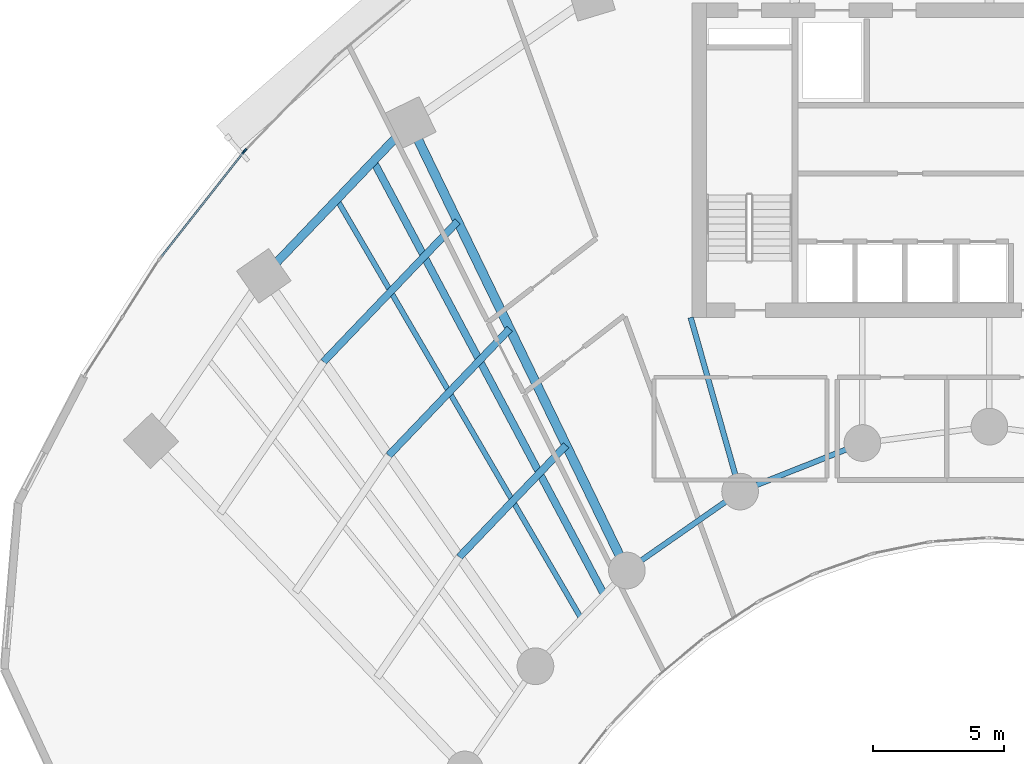
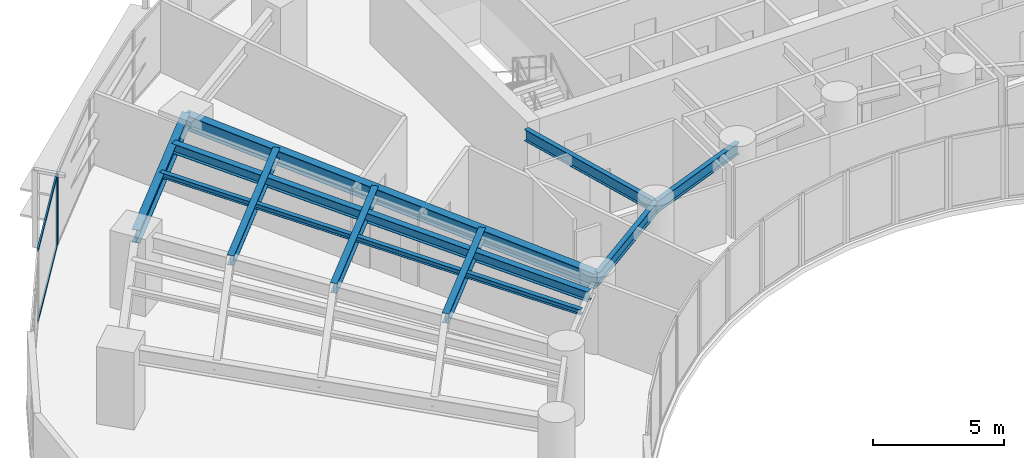
# One storey, part 3 of 17: 10 beams, 4 members, 2 elements without a shape of their own.
"""IFC4 building model written with IfcOpenShell, lengths in metres."""

from ifc_helpers import new_model, si_unit, direction, frame, origin, origin_2d, place, context, subcontext, project, spatial, rectangle, i_section, extrude, source, transform, mapped, material, layer, layer_set, material_profile, profile_set, type_object, type_shapes, element, aggregate, save


model = new_model("IFC4")

# Units and contexts
model_context = context("Model", 3, precision=1e-05, world=origin(), true_north=direction((0.0, 1.0)))
body_context = subcontext(model_context, "Body", "Model", "MODEL_VIEW")
ifc_project = project(units=[si_unit("LENGTHUNIT", "METRE"), si_unit("AREAUNIT", "SQUARE_METRE"), si_unit("VOLUMEUNIT", "CUBIC_METRE"), si_unit("PLANEANGLEUNIT", "RADIAN"), si_unit("MASSUNIT", "GRAM", prefix="KILO")], contexts=[model_context])

# Site, building, storey
site_placement = place(None, origin())
site = spatial("IfcSite", under=ifc_project, at=site_placement, CompositionType="ELEMENT")
building_placement = place(site_placement, origin())
building = spatial("IfcBuilding", under=site, at=building_placement, Name="Breltana Convention Tower", CompositionType="ELEMENT")
storey_placement = place(building_placement, frame((0.0, 0.0, 64.199951171875)))
storey = spatial("IfcBuildingStorey", under=building, at=storey_placement, Name="L14", CompositionType="ELEMENT", Elevation=64.199951171875)

# Beams
ifc_material_1 = material(Name="Steel ASTM A992 Grade 50", Category="steel")
ifc_material_profile_1 = material_profile(ifc_material_1, i_section(OverallWidth=0.323974609375, OverallDepth=0.611083984375, WebThickness=0.0126953125, FlangeThickness=0.01904296875, at=origin_2d()), Name="W24X104")
ifc_profile_set_1 = profile_set([ifc_material_profile_1], Name="Steel ASTM A992 Grade 50")
beam_type_1 = type_object("IfcBeamType", Name="BM-SP-W24X104", PredefinedType="SPANDREL", material=ifc_profile_set_1)
shared_shape_1 = source(origin(), body_context, "Body", "SweptSolid", [
    extrude(i_section(OverallWidth=0.323974609375, OverallDepth=0.611083984375, WebThickness=0.0126953125, FlangeThickness=0.01904296875, at=origin_2d()), origin(), (0.0, 0.0, 1.0), 8.073974609375),
])
beam_1_placement = place(storey_placement, frame((20.310791015625, 61.78857421875, 3.054443359375), z_axis=(0.69072885448, 0.723113856588, 0.0), x_axis=(-0.723113856588, 0.69072885448, 0.0)))
element("IfcBeam", 1, at=beam_1_placement, inside=storey, type_object=beam_type_1, Name="L14 Outer Spandrel Beam 02", PredefinedType="SPANDREL", context=body_context, shape_type="MappedRepresentation", body=[
    mapped(shared_shape_1, transform((0.0, 0.0, 0.0), scale=1.0)),
])
ifc_material_profile_2 = material_profile(ifc_material_1, i_section(OverallWidth=0.35498046875, OverallDepth=0.696044921875, WebThickness=0.015380859375, FlangeThickness=0.02490234375, at=origin_2d()), Name="W27X146")
ifc_profile_set_2 = profile_set([ifc_material_profile_2], Name="Steel ASTM A992 Grade 50")
beam_type_2 = type_object("IfcBeamType", Name="BM-RG-W27X146", PredefinedType="USERDEFINED", material=ifc_profile_set_2)
shared_shape_2 = source(origin(), body_context, "Body", "SweptSolid", [
    extrude(i_section(OverallWidth=0.35498046875, OverallDepth=0.696044921875, WebThickness=0.015380859375, FlangeThickness=0.02490234375, at=origin_2d()), origin(), (0.0, 0.0, 1.0), 18.982421875),
])
beam_2_placement = place(storey_placement, frame((34.166259765625, 50.544921875, 3.011962890625), z_axis=(-0.436118560343, 0.89988921614, 0.0), x_axis=(-0.89988921614, -0.436118560343, 0.0)))
element("IfcBeam", 2, at=beam_2_placement, inside=storey, type_object=beam_type_2, Name="L14 Radial Floor Girder R03", ObjectType="GIRDER", PredefinedType="USERDEFINED", context=body_context, shape_type="MappedRepresentation", body=[
    mapped(shared_shape_2, transform((0.0, 0.0, 0.0), scale=1.0)),
])
ifc_material_profile_3 = material_profile(ifc_material_1, i_section(OverallWidth=0.2099609375, OverallDepth=0.537109375, WebThickness=0.010986328125, FlangeThickness=0.017333984375, at=origin_2d()), Name="W21X68")
ifc_profile_set_3 = profile_set([ifc_material_profile_3], Name="Steel ASTM A992 Grade 50")
beam_type_3 = type_object("IfcBeamType", Name="BM-BM-W21X68", PredefinedType="BEAM", material=ifc_profile_set_3)
shared_shape_3 = source(origin(), body_context, "Body", "SweptSolid", [
    extrude(i_section(OverallWidth=0.2099609375, OverallDepth=0.537109375, WebThickness=0.010986328125, FlangeThickness=0.017333984375, at=origin_2d()), origin(), (0.0, 0.0, 1.0), 6.904541015625),
])
type_shapes(beam_type_3, [shared_shape_3])
beam_3_placement = place(storey_placement, frame((36.60009765625, 60.199951171875, 3.091552734375), z_axis=(0.273006781054, -0.962012108811, 0.0), x_axis=(0.962012108811, 0.273006781054, 0.0)))
element("IfcBeam", 3, at=beam_3_placement, inside=storey, type_object=beam_type_3, Name="L14 South Core Tie Girder R04", PredefinedType="BEAM", context=body_context, shape_type="MappedRepresentation", body=[
    mapped(shared_shape_3, transform((0.0, 0.0, 0.0), scale=1.0)),
])
shared_shape_4 = source(origin(), body_context, "Body", "SweptSolid", [
    extrude(i_section(OverallWidth=0.2099609375, OverallDepth=0.537109375, WebThickness=0.010986328125, FlangeThickness=0.017333984375, at=origin_2d()), origin(), (0.0, 0.0, 1.0), 5.265869140625),
])
beam_4_placement = place(storey_placement, frame((34.166259765625, 50.544921875, 3.091552734375), z_axis=(0.820167429517, 0.572123577176, 0.0), x_axis=(-0.572123577176, 0.820167429517, 0.0)))
element("IfcBeam", 4, at=beam_4_placement, inside=storey, type_object=beam_type_3, Name="L14 Inner Ring Beam 03", PredefinedType="BEAM", context=body_context, shape_type="MappedRepresentation", body=[
    mapped(shared_shape_4, transform((0.0, 0.0, 0.0), scale=1.0)),
])
shared_shape_5 = source(origin(), body_context, "Body", "SweptSolid", [
    extrude(i_section(OverallWidth=0.2099609375, OverallDepth=0.537109375, WebThickness=0.010986328125, FlangeThickness=0.017333984375, at=origin_2d()), origin(), (0.0, 0.0, 1.0), 5.022705078125),
])
beam_5_placement = place(storey_placement, frame((38.485107421875, 53.5576171875, 3.091552734375), z_axis=(0.929458966248, 0.368925507469, 0.0), x_axis=(-0.368925507469, 0.929458966248, 0.0)))
element("IfcBeam", 5, at=beam_5_placement, inside=storey, type_object=beam_type_3, Name="L14 Inner Ring Beam 04", PredefinedType="BEAM", context=body_context, shape_type="MappedRepresentation", body=[
    mapped(shared_shape_5, transform((0.0, 0.0, 0.0), scale=1.0)),
])
ifc_material_profile_4 = material_profile(ifc_material_1, i_section(OverallWidth=0.280029296875, OverallDepth=0.462890625, WebThickness=0.0107421875, FlangeThickness=0.017333984375, at=origin_2d()), Name="W18X76")
ifc_profile_set_4 = profile_set([ifc_material_profile_4], Name="Steel ASTM A992 Grade 50")
beam_type_4 = type_object("IfcBeamType", Name="BM-JSG-06", PredefinedType="JOIST", material=ifc_profile_set_4)
shared_shape_6 = source(origin(), body_context, "Body", "SweptSolid", [
    extrude(i_section(OverallWidth=0.280029296875, OverallDepth=0.462890625, WebThickness=0.0107421875, FlangeThickness=0.017333984375, at=origin_2d()), origin(), (0.0, 0.0, 1.0), 5.8974609375),
])
beam_6_placement = place(storey_placement, frame((27.774658203125, 51.063232421875, 3.128662109375), z_axis=(0.690713978666, 0.723128065888, 0.0), x_axis=(-0.723128065888, 0.690713978666, 0.0)))
element("IfcBeam", 6, at=beam_6_placement, inside=storey, type_object=beam_type_4, Name="L14 Composite Floor Joist 02.1", PredefinedType="JOIST", context=body_context, shape_type="MappedRepresentation", body=[
    mapped(shared_shape_6, transform((0.0, 0.0, 0.0), scale=1.0)),
])
shared_shape_7 = source(origin(), body_context, "Body", "SweptSolid", [
    extrude(i_section(OverallWidth=0.280029296875, OverallDepth=0.462890625, WebThickness=0.0107421875, FlangeThickness=0.017333984375, at=origin_2d()), origin(), (0.0, 0.0, 1.0), 6.68359375),
])
beam_7_placement = place(storey_placement, frame((25.079345703125, 54.936279296875, 3.128662109375), z_axis=(0.690720705885, 0.723121640156, 0.0), x_axis=(-0.723121640156, 0.690720705885, 0.0)))
element("IfcBeam", 7, at=beam_7_placement, inside=storey, type_object=beam_type_4, Name="L14 Composite Floor Joist 02.2", PredefinedType="JOIST", context=body_context, shape_type="MappedRepresentation", body=[
    mapped(shared_shape_7, transform((0.0, 0.0, 0.0), scale=1.0)),
])
shared_shape_8 = source(origin(), body_context, "Body", "SweptSolid", [
    extrude(i_section(OverallWidth=0.280029296875, OverallDepth=0.462890625, WebThickness=0.0107421875, FlangeThickness=0.017333984375, at=origin_2d()), origin(), (0.0, 0.0, 1.0), 7.40869140625),
])
beam_8_placement = place(storey_placement, frame((22.591552734375, 58.511474609375, 3.128662109375), z_axis=(0.690724936208, 0.723117599358, 0.0), x_axis=(-0.723117599358, 0.690724936208, 0.0)))
element("IfcBeam", 8, at=beam_8_placement, inside=storey, type_object=beam_type_4, Name="L14 Composite Floor Joist 02.3", PredefinedType="JOIST", context=body_context, shape_type="MappedRepresentation", body=[
    mapped(shared_shape_8, transform((0.0, 0.0, 0.0), scale=1.0)),
])
ifc_material_profile_5 = material_profile(ifc_material_1, i_section(OverallWidth=0.201904296875, OverallDepth=0.2470703125, WebThickness=0.00732421875, FlangeThickness=0.010986328125, at=origin_2d()), Name="W10X33")
ifc_profile_set_5 = profile_set([ifc_material_profile_5], Name="Steel ASTM A992 Grade 50")
beam_type_5 = type_object("IfcBeamType", Name="BM-JSG-11", PredefinedType="JOIST", material=ifc_profile_set_5)
shared_shape_9 = source(origin(), body_context, "Body", "SweptSolid", [
    extrude(i_section(OverallWidth=0.201904296875, OverallDepth=0.2470703125, WebThickness=0.00732421875, FlangeThickness=0.010986328125, at=origin_2d()), origin(), (0.0, 0.0, 1.0), 18.50830078125),
])
beam_9_placement = place(storey_placement, frame((32.421630859375, 48.71875, 3.236572265625), z_axis=(-0.50368319637, 0.863888440537, 0.0), x_axis=(-0.863888440537, -0.50368319637, 0.0)))
element("IfcBeam", 9, at=beam_9_placement, inside=storey, type_object=beam_type_5, Name="L14 Mid-Bay Radial Trimmer 02", PredefinedType="JOIST", context=body_context, shape_type="MappedRepresentation", body=[
    mapped(shared_shape_9, transform((0.0, 0.0, 0.0), scale=1.0)),
])
shared_shape_10 = source(origin(), body_context, "Body", "SweptSolid", [
    extrude(i_section(OverallWidth=0.280029296875, OverallDepth=0.462890625, WebThickness=0.0107421875, FlangeThickness=0.017333984375, at=origin_2d()), origin(), (0.0, 0.0, 1.0), 18.731689453125),
])
beam_10_placement = place(storey_placement, frame((33.2939453125, 49.6318359375, 3.128662109375), z_axis=(-0.469820250451, 0.882762104004, 0.0), x_axis=(-0.882762104004, -0.469820250451, 0.0)))
element("IfcBeam", 10, at=beam_10_placement, inside=storey, type_object=beam_type_4, Name="L14 Quarter-Bay Radial Trimmer 02", PredefinedType="JOIST", context=body_context, shape_type="MappedRepresentation", body=[
    mapped(shared_shape_10, transform((0.0, 0.0, 0.0), scale=1.0)),
])

# Curtain wall, member
ifc_material_2 = material(Name="Aluminium Anodised Bronze Frame", Category="aluminium")
ifc_layer = layer(ifc_material_2, 0.199951171875, Name="Aluminium Anodised Bronze Frame")
ifc_layer_set = layer_set([ifc_layer], Name="Aluminium Anodised Bronze Frame")
curtain_wall_type = type_object("IfcCurtainWallType", Name="CW-SYS-2", PredefinedType="NOTDEFINED", material=ifc_layer_set)
curtain_wall_1_placement = place(storey_placement, origin())
curtain_wall_1 = element("IfcCurtainWall", 11, at=curtain_wall_1_placement, inside=storey, type_object=curtain_wall_type, Name="L14 outer double-skin inner glazing 2", PredefinedType="NOTDEFINED")
ifc_material_3 = material(Name="Aluminium Anodised Bronze", Category="aluminium")
ifc_material_profile_6 = material_profile(ifc_material_3, rectangle(XDim=0.070068359375, YDim=0.175048828125, at=origin_2d()), Name="CWM-70X175")
ifc_profile_set_6 = profile_set([ifc_material_profile_6], Name="Aluminium Anodised Bronze")
member_type_1 = type_object("IfcMemberType", Name="CWM-175", PredefinedType="MULLION", material=ifc_profile_set_6)
shared_shape_11 = source(origin(), body_context, "Body", "SweptSolid", [
    extrude(rectangle(XDim=0.070068359375, YDim=0.175048828125, at=origin_2d()), origin(), (0.0, 0.0, 1.0), 3.360107421875),
])
type_shapes(member_type_1, [shared_shape_11])
member_1_placement = place(storey_placement, frame((19.545166015625, 66.518798828125, 0.0), z_axis=(0.0, 0.0, 1.0), x_axis=(-0.786057080698, 0.618153917633, 0.0)))
member_1 = element("IfcMember", 12, at=member_1_placement, type_object=member_type_1, Name="CW-02 mullion 2", PredefinedType="MULLION", context=body_context, shape_type="MappedRepresentation", body=[
    mapped(shared_shape_11, transform((0.0, 0.0, 0.0), scale=1.0)),
])

curtain_wall_2_placement = place(storey_placement, origin())
curtain_wall_2 = element("IfcCurtainWall", 13, at=curtain_wall_2_placement, inside=storey, type_object=curtain_wall_type, Name="L14 outer double-skin inner glazing 3", PredefinedType="NOTDEFINED")
member_2_placement = place(storey_placement, frame((19.591064453125, 66.571533203125, 0.0), z_axis=(0.0, 0.0, 1.0), x_axis=(-0.719386421003, 0.694610090106, 0.0)))
member_2 = element("IfcMember", 14, at=member_2_placement, type_object=member_type_1, Name="CW-02 mullion 1", PredefinedType="MULLION", context=body_context, shape_type="MappedRepresentation", body=[
    mapped(shared_shape_11, transform((0.0, 0.0, 0.0), scale=1.0)),
])
aggregate(curtain_wall_2, [member_2])

# Member
ifc_material_profile_7 = material_profile(ifc_material_3, rectangle(XDim=0.070068359375, YDim=0.1201171875, at=origin_2d()), Name="CWT-70X120")
ifc_profile_set_7 = profile_set([ifc_material_profile_7], Name="Aluminium Anodised Bronze")
member_type_2 = type_object("IfcMemberType", Name="CWT-120", PredefinedType="USERDEFINED", material=ifc_profile_set_7)
shared_shape_12 = source(origin(), body_context, "Body", "SweptSolid", [
    extrude(rectangle(XDim=0.070068359375, YDim=0.1201171875, at=origin_2d()), origin(), (0.0, 0.0, 1.0), 5.0546875),
])
member_3_placement = place(storey_placement, frame((16.39892578125, 62.51806640625, 0.03515625), z_axis=(0.618135067667, 0.786071903913, 0.0), x_axis=(-0.786071903913, 0.618135067667, 0.0)))
member_3 = element("IfcMember", 15, at=member_3_placement, type_object=member_type_2, Name="CW-02 transom 1.1", ObjectType="TRANSOM", PredefinedType="USERDEFINED", context=body_context, shape_type="MappedRepresentation", body=[
    mapped(shared_shape_12, transform((0.0, 0.0, 0.0), scale=1.0)),
])

member_4_placement = place(storey_placement, frame((16.39892578125, 62.51806640625, 3.324951171875), z_axis=(0.618135067667, 0.786071903913, 0.0), x_axis=(-0.786071903913, 0.618135067667, 0.0)))
member_4 = element("IfcMember", 16, at=member_4_placement, type_object=member_type_2, Name="CW-02 transom 1.2", ObjectType="TRANSOM", PredefinedType="USERDEFINED", context=body_context, shape_type="MappedRepresentation", body=[
    mapped(shared_shape_12, transform((0.0, 0.0, 0.0), scale=1.0)),
])

aggregate(curtain_wall_1, [member_1, member_3, member_4])

save(model, "model.ifc")
